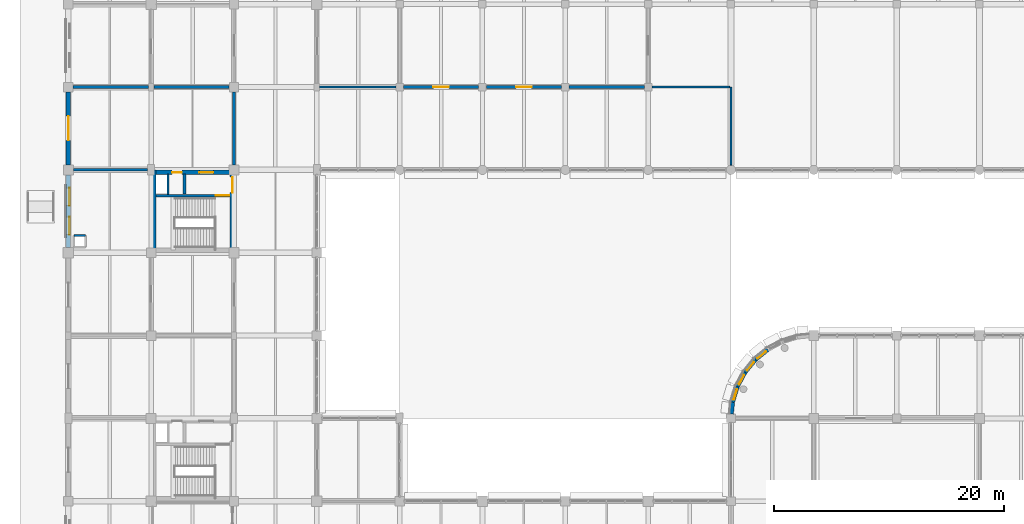
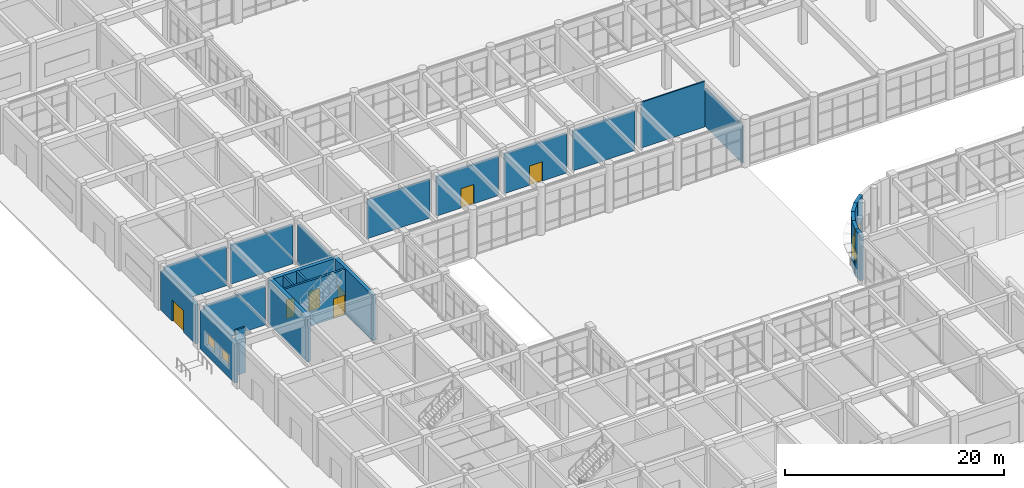
# One storey, part 136 of 160: 24 walls, 7 doors, 6 windows, 13 openings.
"""IFC4 building model written with IfcOpenShell, lengths in metres."""

import ifcopenshell
import ifcopenshell.guid

model = None  # the IFC model being written
_history = None  # IfcOwnerHistory: only IFC2X3 demands one
_inside = {}  # id of a spatial element -> (the spatial element, [elements in it])
_under = {}  # id of a project, library or spatial element -> (it, [spatial elements below it])
_declared = {}  # id of a project -> (the project, [libraries it declares])
_typed = {}  # id of a type object -> (the type object, [elements of that type])
_made_of = {}  # id of a material, layer set ... -> (it, [elements and type objects made of it])


def new_model(schema):
    """Start an empty IFC model of exactly this schema.

    Asked for "IFC4X3", IfcOpenShell would pick the latest addendum, in which some entities
    have other attributes; the version numbers below select the first issue.
    IFC2X3 requires an IfcOwnerHistory on every rooted entity: one is made here for all.
    """
    global model, _history
    if schema == "IFC4X3":
        model = ifcopenshell.file(schema_version=(4, 3, 0, 0))
    else:
        model = ifcopenshell.file(schema=schema)
    _inside.clear()
    _under.clear()
    _declared.clear()
    _typed.clear()
    _made_of.clear()
    _history = None
    if model.schema == "IFC2X3":
        org = make("IfcOrganization", Name="unknown")
        user = make(
            "IfcPersonAndOrganization",
            ThePerson=make("IfcPerson", FamilyName="unknown"),
            TheOrganization=org,
        )
        app = make(
            "IfcApplication",
            ApplicationDeveloper=org,
            Version="unknown",
            ApplicationFullName="unknown",
            ApplicationIdentifier="unknown",
        )
        _history = make(
            "IfcOwnerHistory",
            OwningUser=user,
            OwningApplication=app,
            ChangeAction="ADDED",
            CreationDate=0,
        )
    return model


def make(cls, **values):
    """One entity of the class cls with the attributes given. An attribute that is None is left unset."""
    return model.create_entity(
        cls, **{name: value for name, value in values.items() if value is not None}
    )


def rooted(cls, **values):
    """An entity with a GlobalId (a new one), such as an element, a storey or a relation."""
    return make(cls, GlobalId=ifcopenshell.guid.new(), OwnerHistory=_history, **values)


def si_unit(unit_type, name, prefix=None):
    """IfcSIUnit, for example si_unit("LENGTHUNIT", "METRE", prefix="MILLI")."""
    return make("IfcSIUnit", UnitType=unit_type, Prefix=prefix, Name=name)


def assignment(units):
    """IfcUnitAssignment: the units of a project."""
    return None if units is None else make("IfcUnitAssignment", Units=units)


def point(xyz):
    """IfcCartesianPoint."""
    return None if xyz is None else make("IfcCartesianPoint", Coordinates=xyz)


def direction(xyz):
    """IfcDirection."""
    return None if xyz is None else make("IfcDirection", DirectionRatios=xyz)


def frame(location, z_axis=None, x_axis=None):
    """IfcAxis2Placement3D, a coordinate frame: its origin and axes. An axis left out is left unset."""
    return make(
        "IfcAxis2Placement3D",
        Location=point(location),
        Axis=direction(z_axis),
        RefDirection=direction(x_axis),
    )


def frame_2d(location, x_axis=None):
    """IfcAxis2Placement2D, a coordinate frame in the plane: its origin and x axis."""
    return make(
        "IfcAxis2Placement2D", Location=point(location), RefDirection=direction(x_axis)
    )


def origin():
    """The frame at (0, 0, 0) with its axes left unset."""
    return frame((0.0, 0.0, 0.0))


def place(relative_to, where):
    """IfcLocalPlacement: puts the frame where relative to a parent placement (None: the world)."""
    return make(
        "IfcLocalPlacement", PlacementRelTo=relative_to, RelativePlacement=where
    )


def context(
    kind, dimensions, precision=None, world=None, true_north=None, identifier=None
):
    """IfcGeometricRepresentationContext, for example the 3D "Model" context."""
    return make(
        "IfcGeometricRepresentationContext",
        ContextIdentifier=identifier,
        ContextType=kind,
        CoordinateSpaceDimension=dimensions,
        Precision=precision,
        WorldCoordinateSystem=world,
        TrueNorth=true_north,
    )


def subcontext(parent, identifier, kind, view, scale=None):
    """IfcGeometricRepresentationSubContext, for example "Body" below "Model"."""
    return make(
        "IfcGeometricRepresentationSubContext",
        ContextIdentifier=identifier,
        ContextType=kind,
        ParentContext=parent,
        TargetScale=scale,
        TargetView=view,
    )


def project(units=None, contexts=None):
    """IfcProject with its units and contexts."""
    return rooted(
        "IfcProject",
        Name="project",
        RepresentationContexts=contexts,
        UnitsInContext=assignment(units),
    )


def spatial(cls, under=None, at=None, **own):
    """A site, building, storey or space (cls), placed at a placement, below another one or the project."""
    s = rooted(cls, ObjectPlacement=at, **own)
    if under is not None:
        _under.setdefault(under.id(), (under, []))[1].append(s)
    return s


def profile(cls, at=None, kind="AREA", **sizes):
    """A parametric profile (cls). Its sizes go by their IFC names, for example OverallWidth=200.0."""
    return make(cls, ProfileType=kind, Position=at, **sizes)


def rectangle(**sizes):
    """IfcRectangleProfileDef."""
    return profile("IfcRectangleProfileDef", **sizes)


def extrude(swept, where, along, depth):
    """IfcExtrudedAreaSolid: the profile swept, set in the frame where, extruded along a direction by depth."""
    return make(
        "IfcExtrudedAreaSolid",
        SweptArea=swept,
        Position=where,
        ExtrudedDirection=direction(along),
        Depth=depth,
    )


def shape(context_of_items, identifier, shape_type, items):
    """IfcShapeRepresentation: the items that make up one representation, for example the "Body"."""
    return make(
        "IfcShapeRepresentation",
        ContextOfItems=context_of_items,
        RepresentationIdentifier=identifier,
        RepresentationType=shape_type,
        Items=items,
    )


def material(Name=None, Category=None):
    """IfcMaterial."""
    return make("IfcMaterial", Name=Name, Category=Category)


def layer(
    of_material, thickness, ventilated=None, Name=None, Category=None, Priority=None
):
    """IfcMaterialLayer: one layer of a wall or slab, of a material (None: an air gap)."""
    return make(
        "IfcMaterialLayer",
        Material=of_material,
        LayerThickness=thickness,
        IsVentilated=ventilated,
        Name=Name,
        Category=Category,
        Priority=Priority,
    )


def layer_set(layers, Name=None):
    """IfcMaterialLayerSet."""
    return make("IfcMaterialLayerSet", MaterialLayers=layers, LayerSetName=Name)


def made_of(thing, what):
    """Note that an element or type object is made of a material, layer set ...; save() writes the relation."""
    if what is not None:
        _made_of.setdefault(what.id(), (what, []))[1].append(thing)
    return thing


def type_object(cls, material=None, **own):
    """A type object (cls), such as IfcWallType, which elements share."""
    return made_of(rooted(cls, **own), material)


def element(
    cls,
    number,
    at=None,
    inside=None,
    cuts=None,
    type_object=None,
    material=None,
    context=None,
    identifier="Body",
    shape_type=None,
    held_by="IfcProductDefinitionShape",
    body=None,
    shapes=None,
    **own,
):
    """One element of the class cls, such as IfcWall. Its Tag is "e" and its number.

    at: its placement. inside: the storey or other place that contains it. cuts: it is an
    opening in that element (IfcRelVoidsElement). A single representation is given by context,
    identifier, shape_type and body (its items); several are given by shapes. held_by: the class
    of the entity that holds the representations. save() writes the other relations.
    """
    e = rooted(cls, Tag="e%d" % number, ObjectPlacement=at, **own)
    if body is not None:
        shapes = [shape(context, identifier, shape_type, body)]
    if shapes is not None:
        e.Representation = make(held_by, Representations=shapes)
    if inside is not None:
        _inside.setdefault(inside.id(), (inside, []))[1].append(e)
    if cuts is not None:
        rooted(
            "IfcRelVoidsElement", RelatingBuildingElement=cuts, RelatedOpeningElement=e
        )
    if type_object is not None:
        _typed.setdefault(type_object.id(), (type_object, []))[1].append(e)
    return made_of(e, material)


def fill(opening, filler):
    """IfcRelFillsElement: the door or window that sits in an opening."""
    return rooted(
        "IfcRelFillsElement",
        RelatingOpeningElement=opening,
        RelatedBuildingElement=filler,
    )


def aggregate(whole, parts):
    """IfcRelAggregates: a whole, such as a stair, and the parts it consists of."""
    return rooted("IfcRelAggregates", RelatingObject=whole, RelatedObjects=parts)


def save(model, path):
    """Write the relations noted so far, then the file.

    IfcRelAggregates (storeys below a building ...), IfcRelContainedInSpatialStructure (elements
    in a storey), IfcRelDefinesByType, IfcRelAssociatesMaterial and IfcRelDeclares: one each for
    every whole, place, type object, material and project.
    """
    for whole, parts in _under.values():
        aggregate(whole, parts)
    for where, things in _inside.values():
        rooted(
            "IfcRelContainedInSpatialStructure",
            RelatedElements=things,
            RelatingStructure=where,
        )
    for kind, things in _typed.values():
        rooted("IfcRelDefinesByType", RelatedObjects=things, RelatingType=kind)
    for what, things in _made_of.values():
        rooted("IfcRelAssociatesMaterial", RelatedObjects=things, RelatingMaterial=what)
    for by, libraries in _declared.values():
        rooted("IfcRelDeclares", RelatingContext=by, RelatedDefinitions=libraries)
    model.write(path)


model = new_model("IFC4")

# Units and contexts
model_context = context("Model", 3, precision=1e-05, world=origin(), true_north=direction((0.0, 1.0)))
body_context = subcontext(model_context, "Body", "Model", "MODEL_VIEW")
ifc_project = project(units=[si_unit("LENGTHUNIT", "METRE"), si_unit("AREAUNIT", "SQUARE_METRE"), si_unit("VOLUMEUNIT", "CUBIC_METRE"), si_unit("PLANEANGLEUNIT", "RADIAN"), si_unit("MASSUNIT", "GRAM", prefix="KILO")], contexts=[model_context])

# Site, building, storey
site_placement = place(None, origin())
site = spatial("IfcSite", under=ifc_project, at=site_placement, CompositionType="ELEMENT")
building_placement = place(site_placement, origin())
building = spatial("IfcBuilding", under=site, at=building_placement, Name="Thalmaran Polytechnic", CompositionType="ELEMENT")
storey_placement = place(building_placement, origin())
storey = spatial("IfcBuildingStorey", under=building, at=storey_placement, Name="L00", CompositionType="ELEMENT", Elevation=0.0)

# Wall, openings, windows
ifc_material_1 = material(Name="Precast concrete C40/50", Category="concrete")
ifc_layer_1 = layer(ifc_material_1, 0.360107421875, Name="Precast concrete C40/50")
ifc_layer_set_1 = layer_set([ifc_layer_1], Name="Precast concrete C40/50")
wall_type_1 = type_object("IfcWallType", Name="WL-EW01", PredefinedType="STANDARD", material=ifc_layer_set_1)
wall_1_placement = place(storey_placement, frame((0.0, 43.64990234375, 0.0), z_axis=(0.0, 0.0, 1.0), x_axis=(0.0, 1.0, 0.0)))
wall_1 = element("IfcWall", 1, at=wall_1_placement, inside=storey, type_object=wall_type_1, Name="Exterior Precast Facade Wall L00-007", PredefinedType="STANDARD", context=body_context, shape_type="SweptSolid", body=[
    extrude(rectangle(XDim=6.31005859375, YDim=0.360107421875, at=frame_2d((3.155029296875, 0.0))), origin(), (0.0, 0.0, 1.0), 4.3349609375),
])
opening_1_placement = place(wall_1_placement, frame((1.117919921875, 0.0, 1.14990234375)))
opening_1 = element("IfcOpeningElement", 2, at=opening_1_placement, cuts=wall_1, Name="Opening VW09", PredefinedType="OPENING", context=body_context, shape_type="SweptSolid", body=[
    extrude(rectangle(XDim=1.550048828125, YDim=1.35009765625, at=frame_2d((0.77490234375, 0.675048828125))), frame((0.0, 0.18994140625, 0.0), z_axis=(0.0, -1.0, 0.0), x_axis=(1.0, 0.0, 0.0)), (0.0, 0.0, 1.0), 0.380126953125),
])
opening_2_placement = place(wall_1_placement, frame((3.64208984375, 0.0, 1.14990234375)))
opening_2 = element("IfcOpeningElement", 3, at=opening_2_placement, cuts=wall_1, Name="Opening VW09", PredefinedType="OPENING", context=body_context, shape_type="SweptSolid", body=[
    extrude(rectangle(XDim=1.550048828125, YDim=1.35009765625, at=frame_2d((0.77490234375, 0.675048828125))), frame((0.0, 0.18994140625, 0.0), z_axis=(0.0, -1.0, 0.0), x_axis=(1.0, 0.0, 0.0)), (0.0, 0.0, 1.0), 0.380126953125),
])
ifc_material_2 = material(Name="Thermally broken aluminium and double low-E glass", Category="aluminium")
window_type_1 = type_object("IfcWindowType", Name="WN-VZ09", PartitioningType="SINGLE_PANEL", PredefinedType="WINDOW", material=ifc_material_2)
window_1_placement = place(opening_1_placement, origin())
window_1 = element("IfcWindow", 4, at=window_1_placement, inside=storey, type_object=window_type_1, Name="Deep-Set Solar-Screened Window W-0003", OverallHeight=1.35009765625, OverallWidth=1.550048828125, PartitioningType="SINGLE_PANEL", PredefinedType="WINDOW", context=body_context, shape_type="SweptSolid", body=[
    extrude(rectangle(XDim=1.550048828125, YDim=1.35009765625, at=frame_2d((0.77490234375, 0.675048828125))), frame((0.0, -0.080078125, 0.0), z_axis=(0.0, -1.0, 0.0), x_axis=(1.0, 0.0, 0.0)), (0.0, 0.0, 1.0), 0.06005859375),
])
fill(opening_1, window_1)
window_2_placement = place(opening_2_placement, origin())
window_2 = element("IfcWindow", 5, at=window_2_placement, inside=storey, type_object=window_type_1, Name="Deep-Set Solar-Screened Window W-0004", OverallHeight=1.35009765625, OverallWidth=1.550048828125, PartitioningType="SINGLE_PANEL", PredefinedType="WINDOW", context=body_context, shape_type="SweptSolid", body=[
    extrude(rectangle(XDim=1.550048828125, YDim=1.35009765625, at=frame_2d((0.77490234375, 0.675048828125))), frame((0.0, -0.080078125, 0.0), z_axis=(0.0, -1.0, 0.0), x_axis=(1.0, 0.0, 0.0)), (0.0, 0.0, 1.0), 0.06005859375),
])
fill(opening_2, window_2)

# Wall, opening, door
wall_2_placement = place(storey_placement, frame((0.0, 50.840087890625, 0.0), z_axis=(0.0, 0.0, 1.0), x_axis=(0.0, 1.0, 0.0)))
wall_2 = element("IfcWall", 6, at=wall_2_placement, inside=storey, type_object=wall_type_1, Name="Ground Entrance Portal Wall L00-008", PredefinedType="STANDARD", context=body_context, shape_type="SweptSolid", body=[
    extrude(rectangle(XDim=6.349853515625, YDim=0.360107421875, at=frame_2d((3.1748046875, 0.0))), origin(), (0.0, 0.0, 1.0), 4.3349609375),
])
opening_3_placement = place(wall_2_placement, frame((2.125, 0.0, 0.0)))
opening_3 = element("IfcOpeningElement", 7, at=opening_3_placement, cuts=wall_2, Name="Opening ED-04", PredefinedType="OPENING", context=body_context, shape_type="SweptSolid", body=[
    extrude(rectangle(XDim=2.10009765625, YDim=2.39990234375, at=frame_2d((1.050048828125, 1.199951171875))), frame((0.0, 0.18994140625, 0.0), z_axis=(0.0, -1.0, 0.0), x_axis=(1.0, 0.0, 0.0)), (0.0, 0.0, 1.0), 0.380126953125),
])
ifc_material_3 = material(Name="Anodised aluminium and safety glass", Category="aluminium")
door_type_1 = type_object("IfcDoorType", Name="DR-ED01", OperationType="NOTDEFINED", PredefinedType="DOOR", material=ifc_material_3)
door_1_placement = place(opening_3_placement, origin())
door_1 = element("IfcDoor", 8, at=door_1_placement, inside=storey, type_object=door_type_1, Name="Pedestrian Final Exit Door ED-04", OperationType="DOUBLE_DOOR_SINGLE_SWING", OverallHeight=2.39990234375, OverallWidth=2.10009765625, PredefinedType="DOOR", context=body_context, shape_type="SweptSolid", body=[
    extrude(rectangle(XDim=2.10009765625, YDim=2.39990234375, at=frame_2d((1.050048828125, 1.199951171875))), frame((0.0, 0.02490234375, 0.0), z_axis=(0.0, -1.0, 0.0), x_axis=(1.0, 0.0, 0.0)), (0.0, 0.0, 1.0), 0.050048828125),
])
fill(opening_3, door_1)

# Wall
wall_3_placement = place(storey_placement, frame((57.63671875, 29.173095703125, 0.0), z_axis=(0.0, 0.0, 1.0), x_axis=(0.097987704654, 0.995187625394, 0.0)))
element("IfcWall", 9, at=wall_3_placement, inside=storey, type_object=wall_type_1, Name="Exterior Precast Facade Wall L00-156", PredefinedType="STANDARD", context=body_context, shape_type="SweptSolid", body=[
    extrude(rectangle(XDim=1.036376953125, YDim=0.360107421875, at=frame_2d((0.51806640625, 0.0))), origin(), (0.0, 0.0, 1.0), 5.090087890625),
])

# Wall, opening, window
wall_4_placement = place(storey_placement, frame((57.73828125, 30.20458984375, 0.0), z_axis=(0.0, 0.0, 1.0), x_axis=(0.290218599957, 0.95696037757, 0.0)))
wall_4 = element("IfcWall", 10, at=wall_4_placement, inside=storey, type_object=wall_type_1, Name="Exterior Precast Facade Wall L00-157", PredefinedType="STANDARD", context=body_context, shape_type="SweptSolid", body=[
    extrude(rectangle(XDim=1.41162109375, YDim=0.360107421875, at=frame_2d((0.705810546875, 0.0))), origin(), (0.0, 0.0, 1.0), 5.090087890625),
])
opening_4_placement = place(wall_4_placement, frame((0.2255859375, 0.0, 1.0)))
opening_4 = element("IfcOpeningElement", 11, at=opening_4_placement, cuts=wall_4, Name="Opening CR01", PredefinedType="OPENING", context=body_context, shape_type="SweptSolid", body=[
    extrude(rectangle(XDim=0.9599609375, YDim=1.39990234375, at=frame_2d((0.47998046875, 0.699951171875))), frame((0.0, 0.18994140625, 0.0), z_axis=(0.0, -1.0, 0.0), x_axis=(1.0, 0.0, 0.0)), (0.0, 0.0, 1.0), 0.380126953125),
])
window_type_2 = type_object("IfcWindowType", Name="WN-CR01", PartitioningType="SINGLE_PANEL", PredefinedType="WINDOW", material=ifc_material_2)
window_3_placement = place(opening_4_placement, origin())
window_3 = element("IfcWindow", 12, at=window_3_placement, inside=storey, type_object=window_type_2, Name="Curved Prow Ribbon Window W-0078", OverallHeight=1.39990234375, OverallWidth=0.9599609375, PartitioningType="SINGLE_PANEL", PredefinedType="WINDOW", context=body_context, shape_type="SweptSolid", body=[
    extrude(rectangle(XDim=0.9599609375, YDim=1.39990234375, at=frame_2d((0.47998046875, 0.699951171875))), frame((0.0, -0.010009765625, 0.0), z_axis=(0.0, -1.0, 0.0), x_axis=(1.0, 0.0, 0.0)), (0.0, 0.0, 1.0), 0.06005859375),
])
fill(opening_4, window_3)

wall_5_placement = place(storey_placement, frame((58.14794921875, 31.555419921875, 0.0), z_axis=(0.0, 0.0, 1.0), x_axis=(0.471539643102, 0.881844864465, 0.0)))
wall_5 = element("IfcWall", 13, at=wall_5_placement, inside=storey, type_object=wall_type_1, Name="Exterior Precast Facade Wall L00-158", PredefinedType="STANDARD", context=body_context, shape_type="SweptSolid", body=[
    extrude(rectangle(XDim=1.411376953125, YDim=0.360107421875, at=frame_2d((0.70556640625, 0.0))), origin(), (0.0, 0.0, 1.0), 5.090087890625),
])
opening_5_placement = place(wall_5_placement, frame((0.2255859375, 0.0, 1.0)))
opening_5 = element("IfcOpeningElement", 14, at=opening_5_placement, cuts=wall_5, Name="Opening CR01", PredefinedType="OPENING", context=body_context, shape_type="SweptSolid", body=[
    extrude(rectangle(XDim=0.9599609375, YDim=1.39990234375, at=frame_2d((0.47998046875, 0.699951171875))), frame((0.0, 0.18994140625, 0.0), z_axis=(0.0, -1.0, 0.0), x_axis=(1.0, 0.0, 0.0)), (0.0, 0.0, 1.0), 0.380126953125),
])
window_4_placement = place(opening_5_placement, origin())
window_4 = element("IfcWindow", 15, at=window_4_placement, inside=storey, type_object=window_type_2, Name="Curved Prow Ribbon Window W-0079", OverallHeight=1.39990234375, OverallWidth=0.9599609375, PartitioningType="SINGLE_PANEL", PredefinedType="WINDOW", context=body_context, shape_type="SweptSolid", body=[
    extrude(rectangle(XDim=0.9599609375, YDim=1.39990234375, at=frame_2d((0.47998046875, 0.699951171875))), frame((0.0, -0.010009765625, 0.0), z_axis=(0.0, -1.0, 0.0), x_axis=(1.0, 0.0, 0.0)), (0.0, 0.0, 1.0), 0.06005859375),
])
fill(opening_5, window_4)

wall_6_placement = place(storey_placement, frame((58.8134765625, 32.800048828125, 0.0), z_axis=(0.0, 0.0, 1.0), x_axis=(0.63432986571, 0.773062495189, 0.0)))
wall_6 = element("IfcWall", 16, at=wall_6_placement, inside=storey, type_object=wall_type_1, Name="Exterior Precast Facade Wall L00-159", PredefinedType="STANDARD", context=body_context, shape_type="SweptSolid", body=[
    extrude(rectangle(XDim=1.411376953125, YDim=0.360107421875, at=frame_2d((0.70556640625, 0.0))), origin(), (0.0, 0.0, 1.0), 5.090087890625),
])
opening_6_placement = place(wall_6_placement, frame((0.2255859375, 0.0, 1.0)))
opening_6 = element("IfcOpeningElement", 17, at=opening_6_placement, cuts=wall_6, Name="Opening CR01", PredefinedType="OPENING", context=body_context, shape_type="SweptSolid", body=[
    extrude(rectangle(XDim=0.9599609375, YDim=1.39990234375, at=frame_2d((0.47998046875, 0.699951171875))), frame((0.0, 0.18994140625, 0.0), z_axis=(0.0, -1.0, 0.0), x_axis=(1.0, 0.0, 0.0)), (0.0, 0.0, 1.0), 0.380126953125),
])
window_5_placement = place(opening_6_placement, origin())
window_5 = element("IfcWindow", 18, at=window_5_placement, inside=storey, type_object=window_type_2, Name="Curved Prow Ribbon Window W-0080", OverallHeight=1.39990234375, OverallWidth=0.9599609375, PartitioningType="SINGLE_PANEL", PredefinedType="WINDOW", context=body_context, shape_type="SweptSolid", body=[
    extrude(rectangle(XDim=0.9599609375, YDim=1.39990234375, at=frame_2d((0.47998046875, 0.699951171875))), frame((0.0, -0.010009765625, 0.0), z_axis=(0.0, -1.0, 0.0), x_axis=(1.0, 0.0, 0.0)), (0.0, 0.0, 1.0), 0.06005859375),
])
fill(opening_6, window_5)

wall_7_placement = place(storey_placement, frame((59.708740234375, 33.89111328125, 0.0), z_axis=(0.0, 0.0, 1.0), x_axis=(0.772977670605, 0.634433227965, 0.0)))
wall_7 = element("IfcWall", 19, at=wall_7_placement, inside=storey, type_object=wall_type_1, Name="Exterior Precast Facade Wall L00-160", PredefinedType="STANDARD", context=body_context, shape_type="SweptSolid", body=[
    extrude(rectangle(XDim=1.41162109375, YDim=0.360107421875, at=frame_2d((0.705810546875, 0.0))), origin(), (0.0, 0.0, 1.0), 5.090087890625),
])
opening_7_placement = place(wall_7_placement, frame((0.2255859375, 0.0, 1.0)))
opening_7 = element("IfcOpeningElement", 20, at=opening_7_placement, cuts=wall_7, Name="Opening CR01", PredefinedType="OPENING", context=body_context, shape_type="SweptSolid", body=[
    extrude(rectangle(XDim=0.9599609375, YDim=1.39990234375, at=frame_2d((0.47998046875, 0.699951171875))), frame((0.0, 0.18994140625, 0.0), z_axis=(0.0, -1.0, 0.0), x_axis=(1.0, 0.0, 0.0)), (0.0, 0.0, 1.0), 0.380126953125),
])
window_6_placement = place(opening_7_placement, origin())
window_6 = element("IfcWindow", 21, at=window_6_placement, inside=storey, type_object=window_type_2, Name="Curved Prow Ribbon Window W-0081", OverallHeight=1.39990234375, OverallWidth=0.9599609375, PartitioningType="SINGLE_PANEL", PredefinedType="WINDOW", context=body_context, shape_type="SweptSolid", body=[
    extrude(rectangle(XDim=0.9599609375, YDim=1.39990234375, at=frame_2d((0.47998046875, 0.699951171875))), frame((0.0, -0.010009765625, 0.0), z_axis=(0.0, -1.0, 0.0), x_axis=(1.0, 0.0, 0.0)), (0.0, 0.0, 1.0), 0.06005859375),
])
fill(opening_7, window_6)

# Walls
ifc_material_4 = material(Name="Autoclaved aerated masonry", Category="masonry")
ifc_layer_2 = layer(ifc_material_4, 0.22998046875, Name="Autoclaved aerated masonry")
ifc_layer_set_2 = layer_set([ifc_layer_2], Name="Autoclaved aerated masonry")
wall_type_2 = type_object("IfcWallType", Name="WL-IW02", PredefinedType="PARTITIONING", material=ifc_layer_set_2)
wall_8_placement = place(storey_placement, frame((10.10009765625, 48.300048828125, 0.0), z_axis=(0.0, 0.0, 1.0), x_axis=(0.0, 1.0, 0.0)))
element("IfcWall", 22, at=wall_8_placement, inside=storey, type_object=wall_type_2, Name="Core C4 Riser Partition L00", PredefinedType="PARTITIONING", context=body_context, shape_type="SweptSolid", body=[
    extrude(rectangle(XDim=1.739990234375, YDim=0.22998046875, at=frame_2d((0.8701171875, 0.0))), origin(), (0.0, 0.0, 1.0), 5.090087890625),
])
wall_9_placement = place(storey_placement, frame((0.445068359375, 50.39990234375, 0.0), z_axis=(0.0, 0.0, 1.0), x_axis=(1.0, 0.0, 0.0)))
element("IfcWall", 23, at=wall_9_placement, inside=storey, type_object=wall_type_2, Name="Interior Partition IW02 L00-005", PredefinedType="PARTITIONING", context=body_context, shape_type="SweptSolid", body=[
    extrude(rectangle(XDim=6.449951171875, YDim=0.22998046875, at=frame_2d((3.22509765625, 0.0))), origin(), (0.0, 0.0, 1.0), 4.31005859375),
])
wall_10_placement = place(storey_placement, frame((0.4150390625, 57.60009765625, 0.0), z_axis=(0.0, 0.0, 1.0), x_axis=(1.0, 0.0, 0.0)))
element("IfcWall", 24, at=wall_10_placement, inside=storey, type_object=wall_type_2, Name="Interior Partition IW02 L00-006", PredefinedType="PARTITIONING", context=body_context, shape_type="SweptSolid", body=[
    extrude(rectangle(XDim=6.554931640625, YDim=0.22998046875, at=frame_2d((3.27734375, 0.0))), origin(), (0.0, 0.0, 1.0), 4.31005859375),
])
wall_11_placement = place(storey_placement, frame((14.39990234375, 50.844970703125, 0.0), z_axis=(0.0, 0.0, 1.0), x_axis=(0.0, 1.0, 0.0)))
element("IfcWall", 25, at=wall_11_placement, inside=storey, type_object=wall_type_2, Name="Interior Partition IW02 L00-018", PredefinedType="PARTITIONING", context=body_context, shape_type="SweptSolid", body=[
    extrude(rectangle(XDim=6.340087890625, YDim=0.22998046875, at=frame_2d((3.169921875, 0.0))), origin(), (0.0, 0.0, 1.0), 4.455078125),
])
wall_12_placement = place(storey_placement, frame((7.429931640625, 57.60009765625, 0.0), z_axis=(0.0, 0.0, 1.0), x_axis=(1.0, 0.0, 0.0)))
element("IfcWall", 26, at=wall_12_placement, inside=storey, type_object=wall_type_2, Name="Interior Partition IW02 L00-019", PredefinedType="PARTITIONING", context=body_context, shape_type="SweptSolid", body=[
    extrude(rectangle(XDim=6.55517578125, YDim=0.22998046875, at=frame_2d((3.277587890625, 0.0))), origin(), (0.0, 0.0, 1.0), 4.340087890625),
])

# Wall, opening, door
wall_13_placement = place(storey_placement, frame((29.1298828125, 57.60009765625, 0.0), z_axis=(0.0, 0.0, 1.0), x_axis=(1.0, 0.0, 0.0)))
wall_13 = element("IfcWall", 27, at=wall_13_placement, inside=storey, type_object=wall_type_2, Name="Interior Partition IW02 L00-047", PredefinedType="PARTITIONING", context=body_context, shape_type="SweptSolid", body=[
    extrude(rectangle(XDim=6.5400390625, YDim=0.22998046875, at=frame_2d((3.27001953125, 0.0))), origin(), (0.0, 0.0, 1.0), 4.3701171875),
])
opening_8_placement = place(wall_13_placement, frame((2.594970703125, 0.0, 0.0)))
opening_8 = element("IfcOpeningElement", 28, at=opening_8_placement, cuts=wall_13, Name="Opening D-L00-010--KIT-1", PredefinedType="OPENING", context=body_context, shape_type="SweptSolid", body=[
    extrude(rectangle(XDim=1.35009765625, YDim=2.14990234375, at=frame_2d((0.675048828125, 1.074951171875))), frame((0.0, 0.125, 0.0), z_axis=(0.0, -1.0, 0.0), x_axis=(1.0, 0.0, 0.0)), (0.0, 0.0, 1.0), 0.25),
])
ifc_material_5 = material(Name="Powder-coated fire-rated steel", Category="steel")
door_type_2 = type_object("IfcDoorType", Name="DR-FD06", OperationType="NOTDEFINED", PredefinedType="DOOR", material=ifc_material_5)
door_2_placement = place(opening_8_placement, origin())
door_2 = element("IfcDoor", 29, at=door_2_placement, inside=storey, type_object=door_type_2, Name="Commercial Kitchen and Servery Door 1", OperationType="SINGLE_SWING_LEFT", OverallHeight=2.14990234375, OverallWidth=1.35009765625, PredefinedType="DOOR", context=body_context, shape_type="SweptSolid", body=[
    extrude(rectangle(XDim=1.35009765625, YDim=2.14990234375, at=frame_2d((0.675048828125, 1.074951171875))), frame((0.0, 0.02490234375, 0.0), z_axis=(0.0, -1.0, 0.0), x_axis=(1.0, 0.0, 0.0)), (0.0, 0.0, 1.0), 0.050048828125),
])
fill(opening_8, door_2)

wall_14_placement = place(storey_placement, frame((36.330078125, 57.60009765625, 0.0), z_axis=(0.0, 0.0, 1.0), x_axis=(1.0, 0.0, 0.0)))
wall_14 = element("IfcWall", 30, at=wall_14_placement, inside=storey, type_object=wall_type_2, Name="Interior Partition IW02 L00-052", PredefinedType="PARTITIONING", context=body_context, shape_type="SweptSolid", body=[
    extrude(rectangle(XDim=6.5400390625, YDim=0.22998046875, at=frame_2d((3.27001953125, 0.0))), origin(), (0.0, 0.0, 1.0), 4.389892578125),
])
opening_9_placement = place(wall_14_placement, frame((2.594970703125, 0.0, 0.0)))
opening_9 = element("IfcOpeningElement", 31, at=opening_9_placement, cuts=wall_14, Name="Opening D-L00-011--KIT-2", PredefinedType="OPENING", context=body_context, shape_type="SweptSolid", body=[
    extrude(rectangle(XDim=1.35009765625, YDim=2.14990234375, at=frame_2d((0.675048828125, 1.074951171875))), frame((0.0, 0.125, 0.0), z_axis=(0.0, -1.0, 0.0), x_axis=(1.0, 0.0, 0.0)), (0.0, 0.0, 1.0), 0.25),
])
door_3_placement = place(opening_9_placement, origin())
door_3 = element("IfcDoor", 32, at=door_3_placement, inside=storey, type_object=door_type_2, Name="Commercial Kitchen and Servery Door 2", OperationType="SINGLE_SWING_RIGHT", OverallHeight=2.14990234375, OverallWidth=1.35009765625, PredefinedType="DOOR", context=body_context, shape_type="SweptSolid", body=[
    extrude(rectangle(XDim=1.35009765625, YDim=2.14990234375, at=frame_2d((0.675048828125, 1.074951171875))), frame((0.0, 0.02490234375, 0.0), z_axis=(0.0, -1.0, 0.0), x_axis=(1.0, 0.0, 0.0)), (0.0, 0.0, 1.0), 0.050048828125),
])
fill(opening_9, door_3)

# Walls
wall_15_placement = place(storey_placement, frame((43.530029296875, 57.60009765625, 0.0), z_axis=(0.0, 0.0, 1.0), x_axis=(1.0, 0.0, 0.0)))
element("IfcWall", 33, at=wall_15_placement, inside=storey, type_object=wall_type_2, Name="Interior Partition IW02 L00-057", PredefinedType="PARTITIONING", context=body_context, shape_type="SweptSolid", body=[
    extrude(rectangle(XDim=6.5400390625, YDim=0.22998046875, at=frame_2d((3.27001953125, 0.0))), origin(), (0.0, 0.0, 1.0), 4.429931640625),
])
ifc_layer_3 = layer(ifc_material_4, 0.179931640625, Name="Autoclaved aerated masonry")
ifc_layer_set_3 = layer_set([ifc_layer_3], Name="Autoclaved aerated masonry")
wall_type_3 = type_object("IfcWallType", Name="WL-IW04", PredefinedType="PARTITIONING", material=ifc_layer_set_3)
wall_16_placement = place(storey_placement, frame((8.679931640625, 48.280029296875, 0.0), z_axis=(0.0, 0.0, 1.0), x_axis=(0.0, 1.0, 0.0)))
element("IfcWall", 34, at=wall_16_placement, inside=storey, type_object=wall_type_3, Name="Core C4 Riser Shaft Enclosure Wall L00", PredefinedType="PARTITIONING", context=body_context, shape_type="SweptSolid", body=[
    extrude(rectangle(XDim=1.760009765625, YDim=0.179931640625, at=frame_2d((0.8798828125, 0.0))), origin(), (0.0, 0.0, 1.0), 5.090087890625),
])
wall_17_placement = place(storey_placement, frame((1.510009765625, 44.7099609375, 0.0), z_axis=(0.0, 0.0, 1.0), x_axis=(-1.0, 0.0, 0.0)))
element("IfcWall", 35, at=wall_17_placement, inside=storey, type_object=wall_type_3, Name="Fume Exhaust Riser Shaft Wall L00 (0,6)-N", PredefinedType="PARTITIONING", context=body_context, shape_type="SweptSolid", body=[
    extrude(rectangle(XDim=1.02001953125, YDim=0.179931640625, at=frame_2d((0.510009765625, 0.0))), origin(), (0.0, 0.0, 1.0), 5.090087890625),
])
ifc_material_6 = material(Name="Gypsum acoustic partition")
ifc_layer_4 = layer(ifc_material_6, 0.14501953125, Name="Gypsum acoustic partition")
ifc_layer_set_4 = layer_set([ifc_layer_4], Name="Gypsum acoustic partition")
wall_type_4 = type_object("IfcWallType", Name="WL-IW06", PredefinedType="PARTITIONING", material=ifc_layer_set_4)
wall_18_placement = place(storey_placement, frame((21.830078125, 57.60009765625, 0.0), z_axis=(0.0, 0.0, 1.0), x_axis=(1.0, 0.0, 0.0)))
element("IfcWall", 36, at=wall_18_placement, inside=storey, type_object=wall_type_4, Name="Interior Partition IW06 L00-039", PredefinedType="PARTITIONING", context=body_context, shape_type="SweptSolid", body=[
    extrude(rectangle(XDim=6.639892578125, YDim=0.14501953125, at=frame_2d((3.31982421875, 0.0))), origin(), (0.0, 0.0, 1.0), 4.364990234375),
])
wall_19_placement = place(storey_placement, frame((57.60009765625, 50.804931640625, 0.0), z_axis=(0.0, 0.0, 1.0), x_axis=(0.0, 1.0, 0.0)))
element("IfcWall", 37, at=wall_19_placement, inside=storey, type_object=wall_type_4, Name="Interior Partition IW06 L00-068", PredefinedType="PARTITIONING", context=body_context, shape_type="SweptSolid", body=[
    extrude(rectangle(XDim=6.795166015625, YDim=0.14501953125, at=frame_2d((3.3974609375, 0.0))), origin(), (0.0, 0.0, 1.0), 4.239990234375),
])
wall_20_placement = place(storey_placement, frame((50.72998046875, 57.60009765625, 0.0), z_axis=(0.0, 0.0, 1.0), x_axis=(1.0, 0.0, 0.0)))
element("IfcWall", 38, at=wall_20_placement, inside=storey, type_object=wall_type_4, Name="Interior Partition IW06 L00-069", PredefinedType="PARTITIONING", context=body_context, shape_type="SweptSolid", body=[
    extrude(rectangle(XDim=6.75, YDim=0.14501953125, at=frame_2d((3.375, 0.0))), origin(), (0.0, 0.0, 1.0), 5.090087890625),
])
ifc_material_7 = material(Name="Concrete C50/60", Category="concrete")
ifc_layer_5 = layer(ifc_material_7, 0.3798828125, Name="Concrete C50/60")
ifc_layer_set_5 = layer_set([ifc_layer_5], Name="Concrete C50/60")
wall_type_5 = type_object("IfcWallType", Name="WL-SW02", PredefinedType="SHEAR", material=ifc_layer_set_5)
wall_21_placement = place(storey_placement, frame((7.419921875, 50.3701171875, 0.0), z_axis=(0.0, 0.0, 1.0), x_axis=(0.0, -1.0, 0.0)))
element("IfcWall", 39, at=wall_21_placement, inside=storey, type_object=wall_type_5, Name="Core C4 West Shear Wall L00", PredefinedType="SHEAR", context=body_context, shape_type="SweptSolid", body=[
    extrude(rectangle(XDim=7.14013671875, YDim=0.3798828125, at=frame_2d((3.570068359375, 0.0))), origin(), (0.0, 0.0, 1.0), 5.090087890625),
])

# Wall, openings, doors
wall_22_placement = place(storey_placement, frame((7.610107421875, 50.179931640625, 0.0), z_axis=(0.0, 0.0, 1.0), x_axis=(1.0, 0.0, 0.0)))
wall_22 = element("IfcWall", 40, at=wall_22_placement, inside=storey, type_object=wall_type_5, Name="Core C4 North Shear Wall L00", PredefinedType="SHEAR", context=body_context, shape_type="SweptSolid", body=[
    extrude(rectangle(XDim=6.4599609375, YDim=0.3798828125, at=frame_2d((3.22998046875, 0.0))), origin(), (0.0, 0.0, 1.0), 5.090087890625),
])
opening_10_placement = place(wall_22_placement, frame((1.419921875, 0.0, 0.0)))
opening_10 = element("IfcOpeningElement", 41, at=opening_10_placement, cuts=wall_22, Name="Opening DR-C4-L00-R", PredefinedType="OPENING", context=body_context, shape_type="SweptSolid", body=[
    extrude(rectangle(XDim=0.85009765625, YDim=2.10009765625, at=frame_2d((0.425048828125, 1.050048828125))), frame((0.0, 0.199951171875, 0.0), z_axis=(0.0, -1.0, 0.0), x_axis=(1.0, 0.0, 0.0)), (0.0, 0.0, 1.0), 0.39990234375),
])
opening_11_placement = place(wall_22_placement, frame((3.7900390625, 0.0, 0.0)))
opening_11 = element("IfcOpeningElement", 42, at=opening_11_placement, cuts=wall_22, Name="Opening XD-ST4-L00", PredefinedType="OPENING", context=body_context, shape_type="SweptSolid", body=[
    extrude(rectangle(XDim=1.199951171875, YDim=2.199951171875, at=frame_2d((0.60009765625, 1.10009765625))), frame((0.0, 0.199951171875, 0.0), z_axis=(0.0, -1.0, 0.0), x_axis=(1.0, 0.0, 0.0)), (0.0, 0.0, 1.0), 0.39990234375),
])
door_type_3 = type_object("IfcDoorType", Name="DR-FD04", OperationType="NOTDEFINED", PredefinedType="DOOR", material=ifc_material_5)
door_4_placement = place(opening_11_placement, origin())
door_4 = element("IfcDoor", 43, at=door_4_placement, inside=storey, type_object=door_type_3, Name="Exit Stair Discharge Door ST4 L00", OperationType="SINGLE_SWING_LEFT", OverallHeight=2.199951171875, OverallWidth=1.199951171875, PredefinedType="DOOR", context=body_context, shape_type="SweptSolid", body=[
    extrude(rectangle(XDim=1.199951171875, YDim=2.199951171875, at=frame_2d((0.60009765625, 1.10009765625))), frame((0.0, 0.02490234375, 0.0), z_axis=(0.0, -1.0, 0.0), x_axis=(1.0, 0.0, 0.0)), (0.0, 0.0, 1.0), 0.050048828125),
])
fill(opening_11, door_4)
door_type_4 = type_object("IfcDoorType", Name="DR-FD09", OperationType="NOTDEFINED", PredefinedType="DOOR", material=ifc_material_5)
door_5_placement = place(opening_10_placement, origin())
door_5 = element("IfcDoor", 44, at=door_5_placement, inside=storey, type_object=door_type_4, Name="Riser Access Fire Door C4 L00", OperationType="SINGLE_SWING_RIGHT", OverallHeight=2.10009765625, OverallWidth=0.85009765625, PredefinedType="DOOR", context=body_context, shape_type="SweptSolid", body=[
    extrude(rectangle(XDim=0.85009765625, YDim=2.10009765625, at=frame_2d((0.425048828125, 1.050048828125))), frame((0.0, 0.02490234375, 0.0), z_axis=(0.0, -1.0, 0.0), x_axis=(1.0, 0.0, 0.0)), (0.0, 0.0, 1.0), 0.050048828125),
])
fill(opening_10, door_5)

# Wall, opening, door
wall_23_placement = place(storey_placement, frame((7.610107421875, 48.159912109375, 0.0), z_axis=(0.0, 0.0, 1.0), x_axis=(1.0, 0.0, 0.0)))
wall_23 = element("IfcWall", 45, at=wall_23_placement, inside=storey, type_object=wall_type_5, Name="Core C4 Stair Partition L00", PredefinedType="SHEAR", context=body_context, shape_type="SweptSolid", body=[
    extrude(rectangle(XDim=6.4599609375, YDim=0.219970703125, at=frame_2d((3.22998046875, 0.0))), origin(), (0.0, 0.0, 1.0), 5.090087890625),
])
opening_12_placement = place(wall_23_placement, frame((5.199951171875, 0.0, 0.0)))
opening_12 = element("IfcOpeningElement", 46, at=opening_12_placement, cuts=wall_23, Name="Opening SD-ST4-L00", PredefinedType="OPENING", context=body_context, shape_type="SweptSolid", body=[
    extrude(rectangle(XDim=1.199951171875, YDim=2.199951171875, at=frame_2d((0.60009765625, 1.10009765625))), frame((0.0, 0.119873046875, 0.0), z_axis=(0.0, -1.0, 0.0), x_axis=(1.0, 0.0, 0.0)), (0.0, 0.0, 1.0), 0.239990234375),
])
door_6_placement = place(opening_12_placement, frame((1.199951171875, 0.0, 0.0), z_axis=(0.0, 0.0, 1.0), x_axis=(-1.0, 0.0, 0.0)))
door_6 = element("IfcDoor", 47, at=door_6_placement, inside=storey, type_object=door_type_3, Name="Exit Stair Fire Door ST4 L00", OperationType="DOUBLE_DOOR_SINGLE_SWING", OverallHeight=2.199951171875, OverallWidth=1.199951171875, PredefinedType="DOOR", context=body_context, shape_type="SweptSolid", body=[
    extrude(rectangle(XDim=1.199951171875, YDim=2.199951171875, at=frame_2d((0.60009765625, 1.10009765625))), frame((0.0, 0.02490234375, 0.0), z_axis=(0.0, -1.0, 0.0), x_axis=(1.0, 0.0, 0.0)), (0.0, 0.0, 1.0), 0.050048828125),
])
fill(opening_12, door_6)

wall_24_placement = place(storey_placement, frame((14.260009765625, 43.22998046875, 0.0), z_axis=(0.0, 0.0, 1.0), x_axis=(0.0, 1.0, 0.0)))
wall_24 = element("IfcWall", 48, at=wall_24_placement, inside=storey, type_object=wall_type_5, Name="Core C4 East Shear Wall L00", PredefinedType="SHEAR", context=body_context, shape_type="SweptSolid", body=[
    extrude(rectangle(XDim=7.14013671875, YDim=0.3798828125, at=frame_2d((3.570068359375, 0.0))), origin(), (0.0, 0.0, 1.0), 5.090087890625),
])
opening_13_placement = place(wall_24_placement, frame((5.199951171875, 0.0, 0.0)))
opening_13 = element("IfcOpeningElement", 49, at=opening_13_placement, cuts=wall_24, Name="Opening LD-C4-L00", PredefinedType="OPENING", context=body_context, shape_type="SweptSolid", body=[
    extrude(rectangle(XDim=1.35009765625, YDim=2.14990234375, at=frame_2d((0.675048828125, 1.074951171875))), frame((0.0, 0.199951171875, 0.0), z_axis=(0.0, -1.0, 0.0), x_axis=(1.0, 0.0, 0.0)), (0.0, 0.0, 1.0), 0.39990234375),
])
door_7_placement = place(opening_13_placement, frame((1.35009765625, 0.0, 0.0), z_axis=(0.0, 0.0, 1.0), x_axis=(-1.0, 0.0, 0.0)))
door_7 = element("IfcDoor", 50, at=door_7_placement, inside=storey, type_object=door_type_2, Name="Stair Lobby Fire Door C4 L00", OperationType="SINGLE_SWING_LEFT", OverallHeight=2.14990234375, OverallWidth=1.35009765625, PredefinedType="DOOR", context=body_context, shape_type="SweptSolid", body=[
    extrude(rectangle(XDim=1.35009765625, YDim=2.14990234375, at=frame_2d((0.675048828125, 1.074951171875))), frame((0.0, 0.02490234375, 0.0), z_axis=(0.0, -1.0, 0.0), x_axis=(1.0, 0.0, 0.0)), (0.0, 0.0, 1.0), 0.050048828125),
])
fill(opening_13, door_7)

save(model, "model.ifc")
